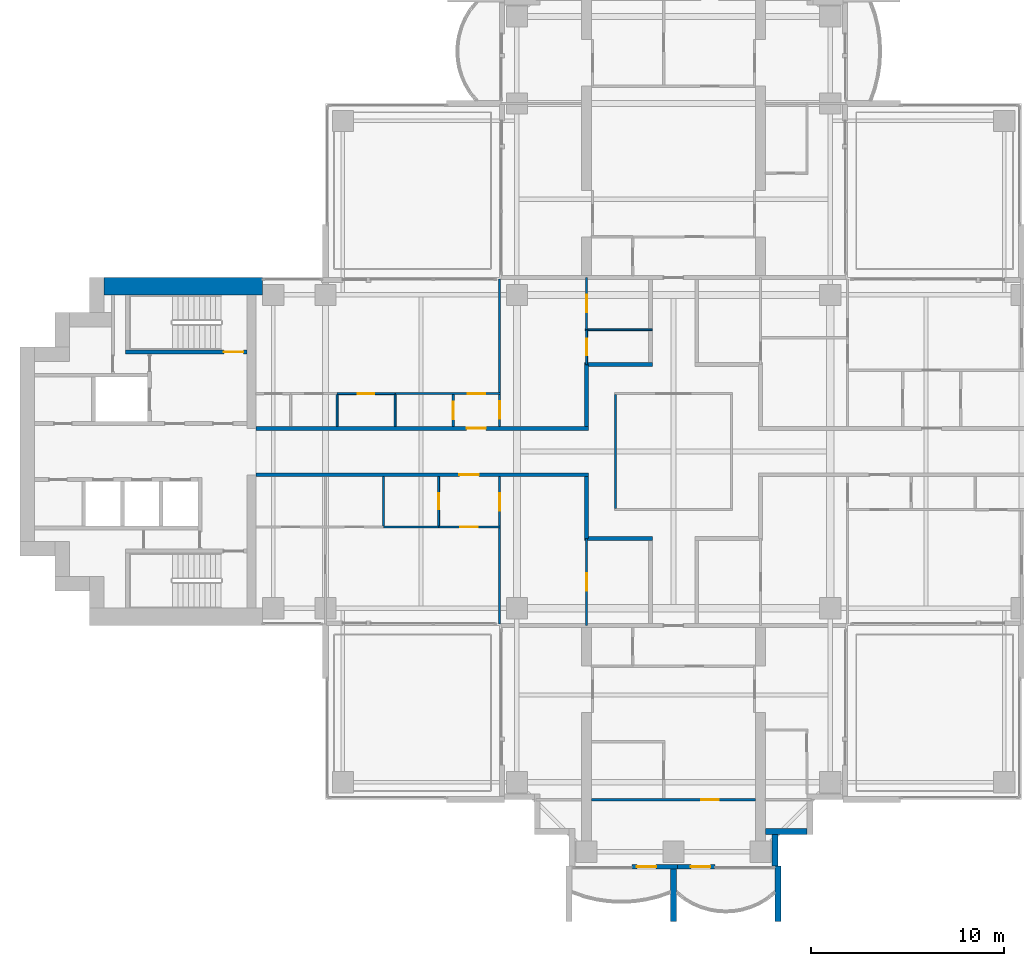
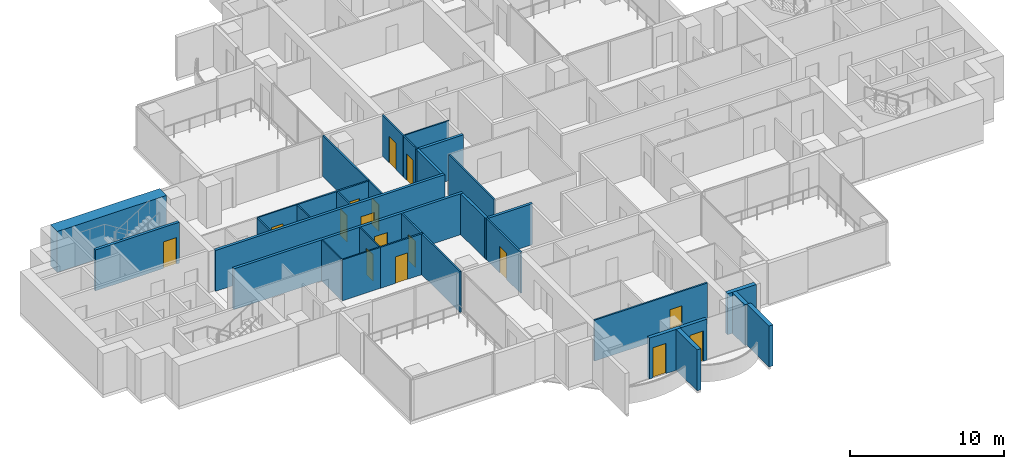
# One storey, part 10 of 18: 31 walls, 16 doors, 16 openings.
"""IFC4 building model written with IfcOpenShell, lengths in metres."""

from ifc_helpers import new_model, si_unit, direction, frame, frame_2d, origin, place, context, subcontext, project, spatial, rectangle, extrude, material, layer, layer_set, type_object, element, fill, save


model = new_model("IFC4")

# Units and contexts
model_context = context("Model", 3, precision=1e-05, world=origin(), true_north=direction((0.0, 1.0)))
body_context = subcontext(model_context, "Body", "Model", "MODEL_VIEW")
ifc_project = project(units=[si_unit("LENGTHUNIT", "METRE"), si_unit("AREAUNIT", "SQUARE_METRE"), si_unit("VOLUMEUNIT", "CUBIC_METRE"), si_unit("PLANEANGLEUNIT", "RADIAN"), si_unit("MASSUNIT", "GRAM", prefix="KILO")], contexts=[model_context])

# Site, building, storey
site_placement = place(None, origin())
site = spatial("IfcSite", under=ifc_project, at=site_placement, CompositionType="ELEMENT")
building_placement = place(site_placement, origin())
building = spatial("IfcBuilding", under=site, at=building_placement, Name="Perihelion Cross Residences", CompositionType="ELEMENT")
storey_placement = place(building_placement, frame((0.0, 0.0, 130.39990234375)))
storey = spatial("IfcBuildingStorey", under=building, at=storey_placement, Name="L31", CompositionType="ELEMENT", Elevation=130.39990234375)

# Wall, opening, door
ifc_material_1 = material(Name="Plasterboard partition")
ifc_layer_1 = layer(ifc_material_1, 0.199951171875)
ifc_layer_set_1 = layer_set([ifc_layer_1], Name="Apartment separation wall 200")
wall_type_1 = type_object("IfcWallType", Name="Apartment separation wall 200", PredefinedType="PARTITIONING", material=ifc_layer_set_1)
wall_1_placement = place(storey_placement, frame((-21.60009765625, 1.199951171875, 0.0), z_axis=(0.0, 0.0, 1.0), x_axis=(1.0, 0.0, 0.0)))
wall_1 = element("IfcWall", 1, at=wall_1_placement, inside=storey, type_object=wall_type_1, Name="Partition L31 W013", PredefinedType="PARTITIONING", context=body_context, shape_type="SweptSolid", body=[
    extrude(rectangle(XDim=17.2001953125, YDim=0.199951171875, at=frame_2d((8.60009765625, 0.0))), origin(), (0.0, 0.0, 1.0), 3.25),
])
opening_1_placement = place(wall_1_placement, frame((10.89990234375, 0.0, 0.0)))
opening_1 = element("IfcOpeningElement", 2, at=opening_1_placement, cuts=wall_1, Name="Opening L31.A47", PredefinedType="OPENING", context=body_context, shape_type="SweptSolid", body=[
    extrude(rectangle(XDim=1.0, YDim=2.10009765625, at=frame_2d((0.5, 1.050048828125))), frame((0.0, 0.10986328125, 0.0), z_axis=(0.0, -1.0, 0.0), x_axis=(1.0, 0.0, 0.0)), (0.0, 0.0, 1.0), 0.219970703125),
])
ifc_material_2 = material(Name="Timber door leaf", Category="wood")
door_type_1 = type_object("IfcDoorType", Name="Flat entrance door 1000 x 2100", OperationType="SINGLE_SWING_LEFT", PredefinedType="DOOR", material=ifc_material_2)
door_1_placement = place(opening_1_placement, origin())
door_1 = element("IfcDoor", 3, at=door_1_placement, inside=storey, type_object=door_type_1, Name="Door L31.A47", OperationType="SINGLE_SWING_LEFT", OverallHeight=2.10009765625, OverallWidth=1.0, PredefinedType="DOOR", context=body_context, shape_type="SweptSolid", body=[
    extrude(rectangle(XDim=1.0, YDim=2.10009765625, at=frame_2d((0.5, 1.050048828125))), frame((0.0, 0.02490234375, 0.0), z_axis=(0.0, -1.0, 0.0), x_axis=(1.0, 0.0, 0.0)), (0.0, 0.0, 1.0), 0.050048828125),
])
fill(opening_1, door_1)

# Walls
wall_2_placement = place(storey_placement, frame((-4.5, 1.300048828125, 0.0), z_axis=(0.0, 0.0, 1.0), x_axis=(0.0, 1.0, 0.0)))
element("IfcWall", 4, at=wall_2_placement, inside=storey, type_object=wall_type_1, Name="Partition L31 W014", PredefinedType="PARTITIONING", context=body_context, shape_type="SweptSolid", body=[
    extrude(rectangle(XDim=3.199951171875, YDim=0.199951171875, at=frame_2d((1.60009765625, 0.0))), origin(), (0.0, 0.0, 1.0), 3.25),
])
wall_3_placement = place(storey_placement, frame((-4.60009765625, 4.5, 0.0), z_axis=(0.0, 0.0, 1.0), x_axis=(1.0, 0.0, 0.0)))
element("IfcWall", 5, at=wall_3_placement, inside=storey, type_object=wall_type_1, Name="Partition L31 W015", PredefinedType="PARTITIONING", context=body_context, shape_type="SweptSolid", body=[
    extrude(rectangle(XDim=3.5, YDim=0.199951171875, at=frame_2d((1.75, 0.0))), origin(), (0.0, 0.0, 1.0), 3.25),
])

# Wall, opening, door
wall_4_placement = place(storey_placement, frame((-4.39990234375, -1.199951171875, 0.0), z_axis=(0.0, 0.0, 1.0), x_axis=(-1.0, 0.0, 0.0)))
wall_4 = element("IfcWall", 6, at=wall_4_placement, inside=storey, type_object=wall_type_1, Name="Partition L31 W017", PredefinedType="PARTITIONING", context=body_context, shape_type="SweptSolid", body=[
    extrude(rectangle(XDim=17.2001953125, YDim=0.199951171875, at=frame_2d((8.60009765625, 0.0))), origin(), (0.0, 0.0, 1.0), 3.25),
])
opening_2_placement = place(wall_4_placement, frame((5.675048828125, 0.0, 0.0)))
opening_2 = element("IfcOpeningElement", 7, at=opening_2_placement, cuts=wall_4, Name="Opening L31.A48", PredefinedType="OPENING", context=body_context, shape_type="SweptSolid", body=[
    extrude(rectangle(XDim=1.0, YDim=2.10009765625, at=frame_2d((0.5, 1.050048828125))), frame((0.0, 0.10986328125, 0.0), z_axis=(0.0, -1.0, 0.0), x_axis=(1.0, 0.0, 0.0)), (0.0, 0.0, 1.0), 0.219970703125),
])
door_2_placement = place(opening_2_placement, origin())
door_2 = element("IfcDoor", 8, at=door_2_placement, inside=storey, type_object=door_type_1, Name="Door L31.A48", OperationType="SINGLE_SWING_LEFT", OverallHeight=2.10009765625, OverallWidth=1.0, PredefinedType="DOOR", context=body_context, shape_type="SweptSolid", body=[
    extrude(rectangle(XDim=1.0, YDim=2.10009765625, at=frame_2d((0.5, 1.050048828125))), frame((0.0, 0.02490234375, 0.0), z_axis=(0.0, -1.0, 0.0), x_axis=(1.0, 0.0, 0.0)), (0.0, 0.0, 1.0), 0.050048828125),
])
fill(opening_2, door_2)

# Walls
wall_5_placement = place(storey_placement, frame((-4.5, -4.5, 0.0), z_axis=(0.0, 0.0, 1.0), x_axis=(0.0, 1.0, 0.0)))
element("IfcWall", 9, at=wall_5_placement, inside=storey, type_object=wall_type_1, Name="Partition L31 W018", PredefinedType="PARTITIONING", context=body_context, shape_type="SweptSolid", body=[
    extrude(rectangle(XDim=3.199951171875, YDim=0.199951171875, at=frame_2d((1.60009765625, 0.0))), origin(), (0.0, 0.0, 1.0), 3.25),
])
wall_6_placement = place(storey_placement, frame((-1.10009765625, -4.5, 0.0), z_axis=(0.0, 0.0, 1.0), x_axis=(-1.0, 0.0, 0.0)))
element("IfcWall", 10, at=wall_6_placement, inside=storey, type_object=wall_type_1, Name="Partition L31 W020", PredefinedType="PARTITIONING", context=body_context, shape_type="SweptSolid", body=[
    extrude(rectangle(XDim=3.5, YDim=0.199951171875, at=frame_2d((1.75, 0.0))), origin(), (0.0, 0.0, 1.0), 3.25),
])

# Wall, opening, door
ifc_material_3 = material(Name="Concrete C30/37, bronze-clad", Category="concrete")
ifc_layer_2 = layer(ifc_material_3, 0.25)
ifc_layer_set_2 = layer_set([ifc_layer_2], Name="Bronze-clad pier wall 250")
wall_type_2 = type_object("IfcWallType", Name="Bronze-clad pier wall 250", PredefinedType="SOLIDWALL", material=ifc_layer_set_2)
wall_7_placement = place(storey_placement, frame((-2.14990234375, -21.47509765625, 0.0), z_axis=(0.0, 0.0, 1.0), x_axis=(1.0, 0.0, 0.0)))
wall_7 = element("IfcWall", 11, at=wall_7_placement, inside=storey, type_object=wall_type_2, Name="Wall FW1 L31 south tip south bay 1 pier", PredefinedType="SOLIDWALL", context=body_context, shape_type="SweptSolid", body=[
    extrude(rectangle(XDim=2.349853515625, YDim=0.25, at=frame_2d((1.1748046875, 0.0))), origin(), (0.0, 0.0, 1.0), 3.25),
])
opening_3_placement = place(wall_7_placement, frame((0.25, 0.0, 0.0)))
opening_3 = element("IfcOpeningElement", 12, at=opening_3_placement, cuts=wall_7, Name="Opening L31.E11", PredefinedType="OPENING", context=body_context, shape_type="SweptSolid", body=[
    extrude(rectangle(XDim=1.0, YDim=2.39990234375, at=frame_2d((0.5, 1.199951171875))), frame((0.0, 0.135009765625, 0.0), z_axis=(0.0, -1.0, 0.0), x_axis=(1.0, 0.0, 0.0)), (0.0, 0.0, 1.0), 0.27001953125),
])
ifc_material_4 = material(Name="Bronze anodised aluminium, glazed", Category="aluminium")
door_type_2 = type_object("IfcDoorType", Name="Balcony door 1000 x 2400", OperationType="NOTDEFINED", PredefinedType="DOOR", material=ifc_material_4)
door_3_placement = place(opening_3_placement, origin())
door_3 = element("IfcDoor", 13, at=door_3_placement, inside=storey, type_object=door_type_2, Name="Door L31.E11 south tip south bay 1", OperationType="SINGLE_SWING_RIGHT", OverallHeight=2.39990234375, OverallWidth=1.0, PredefinedType="DOOR", context=body_context, shape_type="SweptSolid", body=[
    extrude(rectangle(XDim=1.0, YDim=2.39990234375, at=frame_2d((0.5, 1.199951171875))), frame((0.0, 0.02490234375, 0.0), z_axis=(0.0, -1.0, 0.0), x_axis=(1.0, 0.0, 0.0)), (0.0, 0.0, 1.0), 0.050048828125),
])
fill(opening_3, door_3)

wall_8_placement = place(storey_placement, frame((0.199951171875, -21.47509765625, 0.0), z_axis=(0.0, 0.0, 1.0), x_axis=(1.0, 0.0, 0.0)))
wall_8 = element("IfcWall", 14, at=wall_8_placement, inside=storey, type_object=wall_type_2, Name="Wall FW1 L31 south tip south bay 2 pier", PredefinedType="SOLIDWALL", context=body_context, shape_type="SweptSolid", body=[
    extrude(rectangle(XDim=1.949951171875, YDim=0.25, at=frame_2d((0.97509765625, 0.0))), origin(), (0.0, 0.0, 1.0), 3.25),
])
opening_4_placement = place(wall_8_placement, frame((0.699951171875, 0.0, 0.0)))
opening_4 = element("IfcOpeningElement", 15, at=opening_4_placement, cuts=wall_8, Name="Opening L31.E12", PredefinedType="OPENING", context=body_context, shape_type="SweptSolid", body=[
    extrude(rectangle(XDim=1.0, YDim=2.39990234375, at=frame_2d((0.5, 1.199951171875))), frame((0.0, 0.135009765625, 0.0), z_axis=(0.0, -1.0, 0.0), x_axis=(1.0, 0.0, 0.0)), (0.0, 0.0, 1.0), 0.27001953125),
])
door_4_placement = place(opening_4_placement, origin())
door_4 = element("IfcDoor", 16, at=door_4_placement, inside=storey, type_object=door_type_2, Name="Door L31.E12 south tip south bay 2", OperationType="SINGLE_SWING_LEFT", OverallHeight=2.39990234375, OverallWidth=1.0, PredefinedType="DOOR", context=body_context, shape_type="SweptSolid", body=[
    extrude(rectangle(XDim=1.0, YDim=2.39990234375, at=frame_2d((0.5, 1.199951171875))), frame((0.0, 0.02490234375, 0.0), z_axis=(0.0, -1.0, 0.0), x_axis=(1.0, 0.0, 0.0)), (0.0, 0.0, 1.0), 0.050048828125),
])
fill(opening_4, door_4)

# Walls
ifc_material_5 = material(Name="Concrete C30/37, bronze-clad", Category="concrete")
ifc_layer_3 = layer(ifc_material_5, 0.300048828125)
ifc_layer_set_3 = layer_set([ifc_layer_3], Name="Bronze-clad serration wall 300")
wall_type_3 = type_object("IfcWallType", Name="Bronze-clad serration wall 300", PredefinedType="SOLIDWALL", material=ifc_layer_set_3)
wall_9_placement = place(storey_placement, frame((5.25, -21.419921875, 0.0), z_axis=(0.0, 0.0, 1.0), x_axis=(0.0, 1.0, 0.0)))
element("IfcWall", 17, at=wall_9_placement, inside=storey, type_object=wall_type_3, Name="Wall SR1 L31 south corner south-east 1", PredefinedType="SOLIDWALL", context=body_context, shape_type="SweptSolid", body=[
    extrude(rectangle(XDim=1.619873046875, YDim=0.300048828125, at=frame_2d((0.81005859375, 0.0))), origin(), (0.0, 0.0, 1.0), 3.25),
])
wall_10_placement = place(storey_placement, frame((4.75, -19.64990234375, 0.0), z_axis=(0.0, 0.0, 1.0), x_axis=(1.0, 0.0, 0.0)))
element("IfcWall", 18, at=wall_10_placement, inside=storey, type_object=wall_type_3, Name="Wall SR1 L31 south corner south-east 2", PredefinedType="SOLIDWALL", context=body_context, shape_type="SweptSolid", body=[
    extrude(rectangle(XDim=2.14990234375, YDim=0.300048828125, at=frame_2d((1.074951171875, 0.0))), origin(), (0.0, 0.0, 1.0), 3.25),
])
ifc_material_6 = material(Name="Concrete C60/75", Category="concrete")
ifc_layer_4 = layer(ifc_material_6, 0.89990234375)
ifc_layer_set_4 = layer_set([ifc_layer_4], Name="Core wall, outer 900")
wall_type_4 = type_object("IfcWallType", Name="Core wall, outer 900", PredefinedType="SHEAR", material=ifc_layer_set_4)
wall_11_placement = place(storey_placement, frame((-29.449951171875, 8.550048828125, 0.0), z_axis=(0.0, 0.0, 1.0), x_axis=(1.0, 0.0, 0.0)))
element("IfcWall", 19, at=wall_11_placement, inside=storey, type_object=wall_type_4, Name="West core core wall, outer", PredefinedType="SHEAR", context=body_context, shape_type="SweptSolid", body=[
    extrude(rectangle(XDim=8.199951171875, YDim=0.89990234375, at=frame_2d((4.10009765625, 0.0))), origin(), (0.0, 0.0, 1.0), 3.25),
])
ifc_material_7 = material(Name="Plasterboard partition")
ifc_layer_5 = layer(ifc_material_7, 0.1201171875)
ifc_layer_set_5 = layer_set([ifc_layer_5], Name="Partition wall 120")
wall_type_5 = type_object("IfcWallType", Name="Partition wall 120", PredefinedType="PARTITIONING", material=ifc_layer_set_5)
wall_12_placement = place(storey_placement, frame((-3.0, 2.93994140625, 0.0), z_axis=(0.0, 0.0, 1.0), x_axis=(0.0, -1.0, 0.0)))
element("IfcWall", 20, at=wall_12_placement, inside=storey, type_object=wall_type_5, Name="Partition L31 W004", PredefinedType="PARTITIONING", context=body_context, shape_type="SweptSolid", body=[
    extrude(rectangle(XDim=5.8798828125, YDim=0.1201171875, at=frame_2d((2.93994140625, 0.0))), origin(), (0.0, 0.0, 1.0), 3.25),
])

# Wall, opening, door
wall_13_placement = place(storey_placement, frame((-11.39990234375, 1.300048828125, 0.0), z_axis=(0.0, 0.0, 1.0), x_axis=(0.0, 1.0, 0.0)))
wall_13 = element("IfcWall", 21, at=wall_13_placement, inside=storey, type_object=wall_type_5, Name="Partition L31 W041", PredefinedType="PARTITIONING", context=body_context, shape_type="SweptSolid", body=[
    extrude(rectangle(XDim=1.639892578125, YDim=0.1201171875, at=frame_2d((0.81982421875, 0.0))), origin(), (0.0, 0.0, 1.0), 3.25),
])
opening_5_placement = place(wall_13_placement, frame((0.3701171875, 0.0, 0.0)))
opening_5 = element("IfcOpeningElement", 22, at=opening_5_placement, cuts=wall_13, Name="Opening L31.A18", PredefinedType="OPENING", context=body_context, shape_type="SweptSolid", body=[
    extrude(rectangle(XDim=0.89990234375, YDim=2.10009765625, at=frame_2d((0.449951171875, 1.050048828125))), frame((0.0, 0.070068359375, 0.0), z_axis=(0.0, -1.0, 0.0), x_axis=(1.0, 0.0, 0.0)), (0.0, 0.0, 1.0), 0.14013671875),
])
ifc_material_8 = material(Name="Timber door leaf", Category="wood")
door_type_3 = type_object("IfcDoorType", Name="Interior room door 900 x 2100", OperationType="SINGLE_SWING_LEFT", PredefinedType="DOOR", material=ifc_material_8)
door_5_placement = place(opening_5_placement, origin())
door_5 = element("IfcDoor", 23, at=door_5_placement, inside=storey, type_object=door_type_3, Name="Door L31.A18", OperationType="SINGLE_SWING_RIGHT", OverallHeight=2.10009765625, OverallWidth=0.89990234375, PredefinedType="DOOR", context=body_context, shape_type="SweptSolid", body=[
    extrude(rectangle(XDim=0.89990234375, YDim=2.10009765625, at=frame_2d((0.449951171875, 1.050048828125))), frame((0.0, 0.02490234375, 0.0), z_axis=(0.0, -1.0, 0.0), x_axis=(1.0, 0.0, 0.0)), (0.0, 0.0, 1.0), 0.050048828125),
])
fill(opening_5, door_5)

wall_14_placement = place(storey_placement, frame((-14.39990234375, 3.0, 0.0), z_axis=(0.0, 0.0, 1.0), x_axis=(1.0, 0.0, 0.0)))
wall_14 = element("IfcWall", 24, at=wall_14_placement, inside=storey, type_object=wall_type_5, Name="Partition L31 W042", PredefinedType="PARTITIONING", context=body_context, shape_type="SweptSolid", body=[
    extrude(rectangle(XDim=5.4599609375, YDim=0.1201171875, at=frame_2d((2.72998046875, 0.0))), origin(), (0.0, 0.0, 1.0), 3.25),
])
opening_6_placement = place(wall_14_placement, frame((3.75, 0.0, 0.0)))
opening_6 = element("IfcOpeningElement", 25, at=opening_6_placement, cuts=wall_14, Name="Opening L31.A23", PredefinedType="OPENING", context=body_context, shape_type="SweptSolid", body=[
    extrude(rectangle(XDim=0.89990234375, YDim=2.10009765625, at=frame_2d((0.449951171875, 1.050048828125))), frame((0.0, 0.070068359375, 0.0), z_axis=(0.0, -1.0, 0.0), x_axis=(1.0, 0.0, 0.0)), (0.0, 0.0, 1.0), 0.14013671875),
])
door_6_placement = place(opening_6_placement, origin())
door_6 = element("IfcDoor", 26, at=door_6_placement, inside=storey, type_object=door_type_3, Name="Door L31.A23", OperationType="SINGLE_SWING_LEFT", OverallHeight=2.10009765625, OverallWidth=0.89990234375, PredefinedType="DOOR", context=body_context, shape_type="SweptSolid", body=[
    extrude(rectangle(XDim=0.89990234375, YDim=2.10009765625, at=frame_2d((0.449951171875, 1.050048828125))), frame((0.0, 0.02490234375, 0.0), z_axis=(0.0, -1.0, 0.0), x_axis=(1.0, 0.0, 0.0)), (0.0, 0.0, 1.0), 0.050048828125),
])
fill(opening_6, door_6)

wall_15_placement = place(storey_placement, frame((-9.0, 8.919921875, 0.0), z_axis=(0.0, 0.0, 1.0), x_axis=(0.0, -1.0, 0.0)))
wall_15 = element("IfcWall", 27, at=wall_15_placement, inside=storey, type_object=wall_type_5, Name="Partition L31 W043", PredefinedType="PARTITIONING", context=body_context, shape_type="SweptSolid", body=[
    extrude(rectangle(XDim=7.619873046875, YDim=0.1201171875, at=frame_2d((3.81005859375, 0.0))), origin(), (0.0, 0.0, 1.0), 3.25),
])
opening_7_placement = place(wall_15_placement, frame((6.320068359375, 0.0, 0.0)))
opening_7 = element("IfcOpeningElement", 28, at=opening_7_placement, cuts=wall_15, Name="Opening L31.A19", PredefinedType="OPENING", context=body_context, shape_type="SweptSolid", body=[
    extrude(rectangle(XDim=0.89990234375, YDim=2.10009765625, at=frame_2d((0.449951171875, 1.050048828125))), frame((0.0, 0.070068359375, 0.0), z_axis=(0.0, -1.0, 0.0), x_axis=(1.0, 0.0, 0.0)), (0.0, 0.0, 1.0), 0.14013671875),
])
door_7_placement = place(opening_7_placement, origin())
door_7 = element("IfcDoor", 29, at=door_7_placement, inside=storey, type_object=door_type_3, Name="Door L31.A19", OperationType="SINGLE_SWING_LEFT", OverallHeight=2.10009765625, OverallWidth=0.89990234375, PredefinedType="DOOR", context=body_context, shape_type="SweptSolid", body=[
    extrude(rectangle(XDim=0.89990234375, YDim=2.10009765625, at=frame_2d((0.449951171875, 1.050048828125))), frame((0.0, 0.02490234375, 0.0), z_axis=(0.0, -1.0, 0.0), x_axis=(1.0, 0.0, 0.0)), (0.0, 0.0, 1.0), 0.050048828125),
])
fill(opening_7, door_7)

wall_16_placement = place(storey_placement, frame((-4.5, 9.0, 0.0), z_axis=(0.0, 0.0, 1.0), x_axis=(0.0, -1.0, 0.0)))
wall_16 = element("IfcWall", 30, at=wall_16_placement, inside=storey, type_object=wall_type_5, Name="Partition L31 W051", PredefinedType="PARTITIONING", context=body_context, shape_type="SweptSolid", body=[
    extrude(rectangle(XDim=2.699951171875, YDim=0.1201171875, at=frame_2d((1.35009765625, 0.0))), origin(), (0.0, 0.0, 1.0), 3.25),
])
opening_8_placement = place(wall_16_placement, frame((0.89990234375, 0.0, 0.0)))
opening_8 = element("IfcOpeningElement", 31, at=opening_8_placement, cuts=wall_16, Name="Opening L31.A20", PredefinedType="OPENING", context=body_context, shape_type="SweptSolid", body=[
    extrude(rectangle(XDim=0.89990234375, YDim=2.10009765625, at=frame_2d((0.449951171875, 1.050048828125))), frame((0.0, 0.070068359375, 0.0), z_axis=(0.0, -1.0, 0.0), x_axis=(1.0, 0.0, 0.0)), (0.0, 0.0, 1.0), 0.14013671875),
])
door_8_placement = place(opening_8_placement, origin())
door_8 = element("IfcDoor", 32, at=door_8_placement, inside=storey, type_object=door_type_3, Name="Door L31.A20", OperationType="SINGLE_SWING_LEFT", OverallHeight=2.10009765625, OverallWidth=0.89990234375, PredefinedType="DOOR", context=body_context, shape_type="SweptSolid", body=[
    extrude(rectangle(XDim=0.89990234375, YDim=2.10009765625, at=frame_2d((0.449951171875, 1.050048828125))), frame((0.0, 0.02490234375, 0.0), z_axis=(0.0, -1.0, 0.0), x_axis=(1.0, 0.0, 0.0)), (0.0, 0.0, 1.0), 0.050048828125),
])
fill(opening_8, door_8)

wall_17_placement = place(storey_placement, frame((-8.93994140625, -3.89990234375, 0.0), z_axis=(0.0, 0.0, 1.0), x_axis=(-1.0, 0.0, 0.0)))
wall_17 = element("IfcWall", 33, at=wall_17_placement, inside=storey, type_object=wall_type_5, Name="Partition L31 W054", PredefinedType="PARTITIONING", context=body_context, shape_type="SweptSolid", body=[
    extrude(rectangle(XDim=3.2099609375, YDim=0.1201171875, at=frame_2d((1.60498046875, 0.0))), origin(), (0.0, 0.0, 1.0), 3.25),
])
opening_9_placement = place(wall_17_placement, frame((1.18505859375, 0.0, 0.0)))
opening_9 = element("IfcOpeningElement", 34, at=opening_9_placement, cuts=wall_17, Name="Opening L31.A31", PredefinedType="OPENING", context=body_context, shape_type="SweptSolid", body=[
    extrude(rectangle(XDim=0.89990234375, YDim=2.10009765625, at=frame_2d((0.449951171875, 1.050048828125))), frame((0.0, 0.070068359375, 0.0), z_axis=(0.0, -1.0, 0.0), x_axis=(1.0, 0.0, 0.0)), (0.0, 0.0, 1.0), 0.14013671875),
])
door_9_placement = place(opening_9_placement, origin())
door_9 = element("IfcDoor", 35, at=door_9_placement, inside=storey, type_object=door_type_3, Name="Door L31.A31", OperationType="SINGLE_SWING_RIGHT", OverallHeight=2.10009765625, OverallWidth=0.89990234375, PredefinedType="DOOR", context=body_context, shape_type="SweptSolid", body=[
    extrude(rectangle(XDim=0.89990234375, YDim=2.10009765625, at=frame_2d((0.449951171875, 1.050048828125))), frame((0.0, 0.02490234375, 0.0), z_axis=(0.0, -1.0, 0.0), x_axis=(1.0, 0.0, 0.0)), (0.0, 0.0, 1.0), 0.050048828125),
])
fill(opening_9, door_9)

wall_18_placement = place(storey_placement, frame((-9.0, -1.300048828125, 0.0), z_axis=(0.0, 0.0, 1.0), x_axis=(0.0, -1.0, 0.0)))
wall_18 = element("IfcWall", 36, at=wall_18_placement, inside=storey, type_object=wall_type_5, Name="Partition L31 W055", PredefinedType="PARTITIONING", context=body_context, shape_type="SweptSolid", body=[
    extrude(rectangle(XDim=7.619873046875, YDim=0.1201171875, at=frame_2d((3.81005859375, 0.0))), origin(), (0.0, 0.0, 1.0), 3.25),
])
opening_10_placement = place(wall_18_placement, frame((0.85009765625, 0.0, 0.0)))
opening_10 = element("IfcOpeningElement", 37, at=opening_10_placement, cuts=wall_18, Name="Opening L31.A27", PredefinedType="OPENING", context=body_context, shape_type="SweptSolid", body=[
    extrude(rectangle(XDim=0.89990234375, YDim=2.10009765625, at=frame_2d((0.449951171875, 1.050048828125))), frame((0.0, 0.070068359375, 0.0), z_axis=(0.0, -1.0, 0.0), x_axis=(1.0, 0.0, 0.0)), (0.0, 0.0, 1.0), 0.14013671875),
])
door_10_placement = place(opening_10_placement, origin())
door_10 = element("IfcDoor", 38, at=door_10_placement, inside=storey, type_object=door_type_3, Name="Door L31.A27", OperationType="SINGLE_SWING_LEFT", OverallHeight=2.10009765625, OverallWidth=0.89990234375, PredefinedType="DOOR", context=body_context, shape_type="SweptSolid", body=[
    extrude(rectangle(XDim=0.89990234375, YDim=2.10009765625, at=frame_2d((0.449951171875, 1.050048828125))), frame((0.0, 0.02490234375, 0.0), z_axis=(0.0, -1.0, 0.0), x_axis=(1.0, 0.0, 0.0)), (0.0, 0.0, 1.0), 0.050048828125),
])
fill(opening_10, door_10)

wall_19_placement = place(storey_placement, frame((-4.5, -4.5, 0.0), z_axis=(0.0, 0.0, 1.0), x_axis=(0.0, -1.0, 0.0)))
wall_19 = element("IfcWall", 39, at=wall_19_placement, inside=storey, type_object=wall_type_5, Name="Partition L31 W060", PredefinedType="PARTITIONING", context=body_context, shape_type="SweptSolid", body=[
    extrude(rectangle(XDim=4.5, YDim=0.1201171875, at=frame_2d((2.25, 0.0))), origin(), (0.0, 0.0, 1.0), 3.25),
])
opening_11_placement = place(wall_19_placement, frame((1.800048828125, 0.0, 0.0)))
opening_11 = element("IfcOpeningElement", 40, at=opening_11_placement, cuts=wall_19, Name="Opening L31.A28", PredefinedType="OPENING", context=body_context, shape_type="SweptSolid", body=[
    extrude(rectangle(XDim=0.89990234375, YDim=2.10009765625, at=frame_2d((0.449951171875, 1.050048828125))), frame((0.0, 0.070068359375, 0.0), z_axis=(0.0, -1.0, 0.0), x_axis=(1.0, 0.0, 0.0)), (0.0, 0.0, 1.0), 0.14013671875),
])
door_11_placement = place(opening_11_placement, origin())
door_11 = element("IfcDoor", 41, at=door_11_placement, inside=storey, type_object=door_type_3, Name="Door L31.A28", OperationType="SINGLE_SWING_RIGHT", OverallHeight=2.10009765625, OverallWidth=0.89990234375, PredefinedType="DOOR", context=body_context, shape_type="SweptSolid", body=[
    extrude(rectangle(XDim=0.89990234375, YDim=2.10009765625, at=frame_2d((0.449951171875, 1.050048828125))), frame((0.0, 0.02490234375, 0.0), z_axis=(0.0, -1.0, 0.0), x_axis=(1.0, 0.0, 0.0)), (0.0, 0.0, 1.0), 0.050048828125),
])
fill(opening_11, door_11)

wall_20_placement = place(storey_placement, frame((4.25, -18.0, 0.0), z_axis=(0.0, 0.0, 1.0), x_axis=(-1.0, 0.0, 0.0)))
wall_20 = element("IfcWall", 42, at=wall_20_placement, inside=storey, type_object=wall_type_5, Name="Partition L31 W079", PredefinedType="PARTITIONING", context=body_context, shape_type="SweptSolid", body=[
    extrude(rectangle(XDim=8.5, YDim=0.1201171875, at=frame_2d((4.25, 0.0))), origin(), (0.0, 0.0, 1.0), 3.25),
])
opening_12_placement = place(wall_20_placement, frame((1.925048828125, 0.0, 0.0)))
opening_12 = element("IfcOpeningElement", 43, at=opening_12_placement, cuts=wall_20, Name="Opening L31.A43", PredefinedType="OPENING", context=body_context, shape_type="SweptSolid", body=[
    extrude(rectangle(XDim=0.89990234375, YDim=2.10009765625, at=frame_2d((0.449951171875, 1.050048828125))), frame((0.0, 0.070068359375, 0.0), z_axis=(0.0, -1.0, 0.0), x_axis=(1.0, 0.0, 0.0)), (0.0, 0.0, 1.0), 0.14013671875),
])
door_12_placement = place(opening_12_placement, origin())
door_12 = element("IfcDoor", 44, at=door_12_placement, inside=storey, type_object=door_type_3, Name="Door L31.A43", OperationType="SINGLE_SWING_RIGHT", OverallHeight=2.10009765625, OverallWidth=0.89990234375, PredefinedType="DOOR", context=body_context, shape_type="SweptSolid", body=[
    extrude(rectangle(XDim=0.89990234375, YDim=2.10009765625, at=frame_2d((0.449951171875, 1.050048828125))), frame((0.0, 0.02490234375, 0.0), z_axis=(0.0, -1.0, 0.0), x_axis=(1.0, 0.0, 0.0)), (0.0, 0.0, 1.0), 0.050048828125),
])
fill(opening_12, door_12)

# Walls
ifc_material_9 = material(Name="Precast concrete C50/60", Category="concrete")
ifc_layer_6 = layer(ifc_material_9, 0.300048828125)
ifc_layer_set_6 = layer_set([ifc_layer_6], Name="Precast concrete C50/60 blade wall 300")
wall_type_6 = type_object("IfcWallType", Name="Precast concrete C50/60 blade wall 300", PredefinedType="SOLIDWALL", material=ifc_layer_set_6)
wall_21_placement = place(storey_placement, frame((0.0, -21.60009765625, 0.0), z_axis=(0.0, 0.0, 1.0), x_axis=(0.0, -1.0, 0.0)))
element("IfcWall", 45, at=wall_21_placement, inside=storey, type_object=wall_type_6, Name="Wall BL1 L31 no. 8", PredefinedType="SOLIDWALL", context=body_context, shape_type="SweptSolid", body=[
    extrude(rectangle(XDim=2.699951171875, YDim=0.300048828125, at=frame_2d((1.35009765625, 0.0))), origin(), (0.0, 0.0, 1.0), 3.25),
])
wall_22_placement = place(storey_placement, frame((5.39990234375, -21.419921875, 0.0), z_axis=(0.0, 0.0, 1.0), x_axis=(0.0, -1.0, 0.0)))
element("IfcWall", 46, at=wall_22_placement, inside=storey, type_object=wall_type_6, Name="Wall BL1 L31 no. 12", PredefinedType="SOLIDWALL", context=body_context, shape_type="SweptSolid", body=[
    extrude(rectangle(XDim=2.880126953125, YDim=0.300048828125, at=frame_2d((1.43994140625, 0.0))), origin(), (0.0, 0.0, 1.0), 3.25),
])

# Wall, opening, door
ifc_material_10 = material(Name="Concrete C50/60", Category="concrete")
ifc_layer_7 = layer(ifc_material_10, 0.199951171875)
ifc_layer_set_7 = layer_set([ifc_layer_7], Name="Stair wall 200")
wall_type_7 = type_object("IfcWallType", Name="Stair wall 200", PredefinedType="SOLIDWALL", material=ifc_layer_set_7)
wall_23_placement = place(storey_placement, frame((-28.35009765625, 5.14990234375, 0.0), z_axis=(0.0, 0.0, 1.0), x_axis=(1.0, 0.0, 0.0)))
wall_23 = element("IfcWall", 47, at=wall_23_placement, inside=storey, type_object=wall_type_7, Name="West core stair wall", PredefinedType="SOLIDWALL", context=body_context, shape_type="SweptSolid", body=[
    extrude(rectangle(XDim=6.300048828125, YDim=0.199951171875, at=frame_2d((3.14990234375, 0.0))), origin(), (0.0, 0.0, 1.0), 3.25),
])
opening_13_placement = place(wall_23_placement, frame((5.10009765625, 0.0, 0.0)))
opening_13 = element("IfcOpeningElement", 48, at=opening_13_placement, cuts=wall_23, Name="Opening L31.C20", PredefinedType="OPENING", context=body_context, shape_type="SweptSolid", body=[
    extrude(rectangle(XDim=1.0, YDim=2.10009765625, at=frame_2d((0.5, 1.050048828125))), frame((0.0, 0.10986328125, 0.0), z_axis=(0.0, -1.0, 0.0), x_axis=(1.0, 0.0, 0.0)), (0.0, 0.0, 1.0), 0.219970703125),
])
ifc_material_11 = material(Name="Steel, powder coated", Category="steel")
door_type_4 = type_object("IfcDoorType", Name="Stair door 1000", OperationType="SINGLE_SWING_LEFT", PredefinedType="DOOR", material=ifc_material_11)
door_13_placement = place(opening_13_placement, origin())
door_13 = element("IfcDoor", 49, at=door_13_placement, inside=storey, type_object=door_type_4, Name="West core stair door", OperationType="SINGLE_SWING_LEFT", OverallHeight=2.10009765625, OverallWidth=1.0, PredefinedType="DOOR", context=body_context, shape_type="SweptSolid", body=[
    extrude(rectangle(XDim=1.0, YDim=2.10009765625, at=frame_2d((0.5, 1.050048828125))), frame((0.0, 0.02490234375, 0.0), z_axis=(0.0, -1.0, 0.0), x_axis=(1.0, 0.0, 0.0)), (0.0, 0.0, 1.0), 0.050048828125),
])
fill(opening_13, door_13)

# Walls
ifc_material_12 = material(Name="Plasterboard partition")
ifc_layer_8 = layer(ifc_material_12, 0.10009765625)
ifc_layer_set_8 = layer_set([ifc_layer_8], Name="Wet room wall 100")
wall_type_8 = type_object("IfcWallType", Name="Wet room wall 100", PredefinedType="PARTITIONING", material=ifc_layer_set_8)
for number, where, z_axis, x_axis, name in (
    (50, (-14.39990234375, 1.300048828125, 0.0), (0.0, 0.0, 1.0), (0.0, 1.0, 0.0), "Partition L31 W044"),
    (51, (-17.39990234375, 1.300048828125, 0.0), (0.0, 0.0, 1.0), (0.0, 1.0, 0.0), "Partition L31 W045"),
):
    element("IfcWall", number, at=place(storey_placement, frame(where, z_axis=z_axis, x_axis=x_axis)), inside=storey, type_object=wall_type_8, Name=name, PredefinedType="PARTITIONING", context=body_context, shape_type="SweptSolid", body=[
        extrude(rectangle(XDim=1.639892578125, YDim=0.10009765625, at=frame_2d((0.81982421875, 0.0))), origin(), (0.0, 0.0, 1.0), 3.25),
    ])

# Wall, opening, door
wall_24_placement = place(storey_placement, frame((-17.39990234375, 3.0, 0.0), z_axis=(0.0, 0.0, 1.0), x_axis=(1.0, 0.0, 0.0)))
wall_24 = element("IfcWall", 52, at=wall_24_placement, inside=storey, type_object=wall_type_8, Name="Partition L31 W046", PredefinedType="PARTITIONING", context=body_context, shape_type="SweptSolid", body=[
    extrude(rectangle(XDim=3.0, YDim=0.10009765625, at=frame_2d((1.5, 0.0))), origin(), (0.0, 0.0, 1.0), 3.25),
])
opening_14_placement = place(wall_24_placement, frame((1.074951171875, 0.0, 0.0)))
opening_14 = element("IfcOpeningElement", 53, at=opening_14_placement, cuts=wall_24, Name="Opening L31.A17", PredefinedType="OPENING", context=body_context, shape_type="SweptSolid", body=[
    extrude(rectangle(XDim=0.85009765625, YDim=2.10009765625, at=frame_2d((0.425048828125, 1.050048828125))), frame((0.0, 0.06005859375, 0.0), z_axis=(0.0, -1.0, 0.0), x_axis=(1.0, 0.0, 0.0)), (0.0, 0.0, 1.0), 0.1201171875),
])
ifc_material_13 = material(Name="Timber door leaf", Category="wood")
door_type_5 = type_object("IfcDoorType", Name="Interior bathroom door 850 x 2100", OperationType="SINGLE_SWING_LEFT", PredefinedType="DOOR", material=ifc_material_13)
door_14_placement = place(opening_14_placement, origin())
door_14 = element("IfcDoor", 54, at=door_14_placement, inside=storey, type_object=door_type_5, Name="Door L31.A17", OperationType="SINGLE_SWING_LEFT", OverallHeight=2.10009765625, OverallWidth=0.85009765625, PredefinedType="DOOR", context=body_context, shape_type="SweptSolid", body=[
    extrude(rectangle(XDim=0.85009765625, YDim=2.10009765625, at=frame_2d((0.425048828125, 1.050048828125))), frame((0.0, 0.02490234375, 0.0), z_axis=(0.0, -1.0, 0.0), x_axis=(1.0, 0.0, 0.0)), (0.0, 0.0, 1.0), 0.050048828125),
])
fill(opening_14, door_14)

wall_25_placement = place(storey_placement, frame((-4.5, 6.300048828125, 0.0), z_axis=(0.0, 0.0, 1.0), x_axis=(0.0, -1.0, 0.0)))
wall_25 = element("IfcWall", 55, at=wall_25_placement, inside=storey, type_object=wall_type_8, Name="Partition L31 W050", PredefinedType="PARTITIONING", context=body_context, shape_type="SweptSolid", body=[
    extrude(rectangle(XDim=1.800048828125, YDim=0.10009765625, at=frame_2d((0.89990234375, 0.0))), origin(), (0.0, 0.0, 1.0), 3.25),
])
opening_15_placement = place(wall_25_placement, frame((0.47509765625, 0.0, 0.0)))
opening_15 = element("IfcOpeningElement", 56, at=opening_15_placement, cuts=wall_25, Name="Opening L31.A21", PredefinedType="OPENING", context=body_context, shape_type="SweptSolid", body=[
    extrude(rectangle(XDim=0.85009765625, YDim=2.10009765625, at=frame_2d((0.425048828125, 1.050048828125))), frame((0.0, 0.06005859375, 0.0), z_axis=(0.0, -1.0, 0.0), x_axis=(1.0, 0.0, 0.0)), (0.0, 0.0, 1.0), 0.1201171875),
])
door_15_placement = place(opening_15_placement, origin())
door_15 = element("IfcDoor", 57, at=door_15_placement, inside=storey, type_object=door_type_5, Name="Door L31.A21", OperationType="SINGLE_SWING_RIGHT", OverallHeight=2.10009765625, OverallWidth=0.85009765625, PredefinedType="DOOR", context=body_context, shape_type="SweptSolid", body=[
    extrude(rectangle(XDim=0.85009765625, YDim=2.10009765625, at=frame_2d((0.425048828125, 1.050048828125))), frame((0.0, 0.02490234375, 0.0), z_axis=(0.0, -1.0, 0.0), x_axis=(1.0, 0.0, 0.0)), (0.0, 0.0, 1.0), 0.050048828125),
])
fill(opening_15, door_15)

# Wall
wall_26_placement = place(storey_placement, frame((-4.56005859375, 6.300048828125, 0.0), z_axis=(0.0, 0.0, 1.0), x_axis=(1.0, 0.0, 0.0)))
element("IfcWall", 58, at=wall_26_placement, inside=storey, type_object=wall_type_8, Name="Partition L31 W052", PredefinedType="PARTITIONING", context=body_context, shape_type="SweptSolid", body=[
    extrude(rectangle(XDim=3.4599609375, YDim=0.10009765625, at=frame_2d((1.72998046875, 0.0))), origin(), (0.0, 0.0, 1.0), 3.25),
])

# Wall, opening, door
wall_27_placement = place(storey_placement, frame((-12.14990234375, -3.840087890625, 0.0), z_axis=(0.0, 0.0, 1.0), x_axis=(0.0, 1.0, 0.0)))
wall_27 = element("IfcWall", 59, at=wall_27_placement, inside=storey, type_object=wall_type_8, Name="Partition L31 W053", PredefinedType="PARTITIONING", context=body_context, shape_type="SweptSolid", body=[
    extrude(rectangle(XDim=2.5400390625, YDim=0.10009765625, at=frame_2d((1.27001953125, 0.0))), origin(), (0.0, 0.0, 1.0), 3.25),
])
opening_16_placement = place(wall_27_placement, frame((0.844970703125, 0.0, 0.0)))
opening_16 = element("IfcOpeningElement", 60, at=opening_16_placement, cuts=wall_27, Name="Opening L31.A25", PredefinedType="OPENING", context=body_context, shape_type="SweptSolid", body=[
    extrude(rectangle(XDim=0.85009765625, YDim=2.10009765625, at=frame_2d((0.425048828125, 1.050048828125))), frame((0.0, 0.06005859375, 0.0), z_axis=(0.0, -1.0, 0.0), x_axis=(1.0, 0.0, 0.0)), (0.0, 0.0, 1.0), 0.1201171875),
])
door_16_placement = place(opening_16_placement, origin())
door_16 = element("IfcDoor", 61, at=door_16_placement, inside=storey, type_object=door_type_5, Name="Door L31.A25", OperationType="SINGLE_SWING_RIGHT", OverallHeight=2.10009765625, OverallWidth=0.85009765625, PredefinedType="DOOR", context=body_context, shape_type="SweptSolid", body=[
    extrude(rectangle(XDim=0.85009765625, YDim=2.10009765625, at=frame_2d((0.425048828125, 1.050048828125))), frame((0.0, 0.02490234375, 0.0), z_axis=(0.0, -1.0, 0.0), x_axis=(1.0, 0.0, 0.0)), (0.0, 0.0, 1.0), 0.050048828125),
])
fill(opening_16, door_16)

# Walls
wall_28_placement = place(storey_placement, frame((-15.0, -3.840087890625, 0.0), z_axis=(0.0, 0.0, 1.0), x_axis=(0.0, 1.0, 0.0)))
element("IfcWall", 62, at=wall_28_placement, inside=storey, type_object=wall_type_8, Name="Partition L31 W056", PredefinedType="PARTITIONING", context=body_context, shape_type="SweptSolid", body=[
    extrude(rectangle(XDim=2.5400390625, YDim=0.10009765625, at=frame_2d((1.27001953125, 0.0))), origin(), (0.0, 0.0, 1.0), 3.25),
])
wall_29_placement = place(storey_placement, frame((-12.14990234375, -3.89990234375, 0.0), z_axis=(0.0, 0.0, 1.0), x_axis=(-1.0, 0.0, 0.0)))
element("IfcWall", 63, at=wall_29_placement, inside=storey, type_object=wall_type_8, Name="Partition L31 W057", PredefinedType="PARTITIONING", context=body_context, shape_type="SweptSolid", body=[
    extrude(rectangle(XDim=2.85009765625, YDim=0.10009765625, at=frame_2d((1.425048828125, 0.0))), origin(), (0.0, 0.0, 1.0), 3.25),
])

save(model, "model.ifc")
